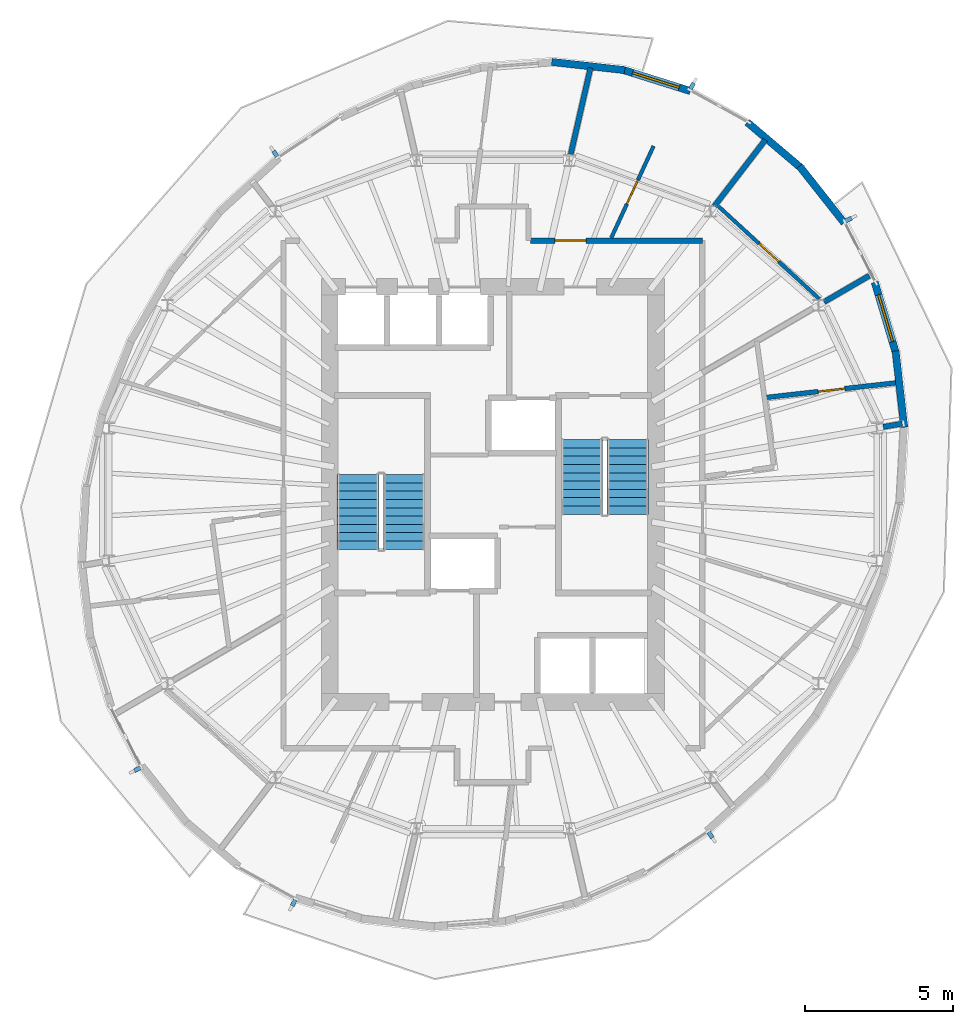
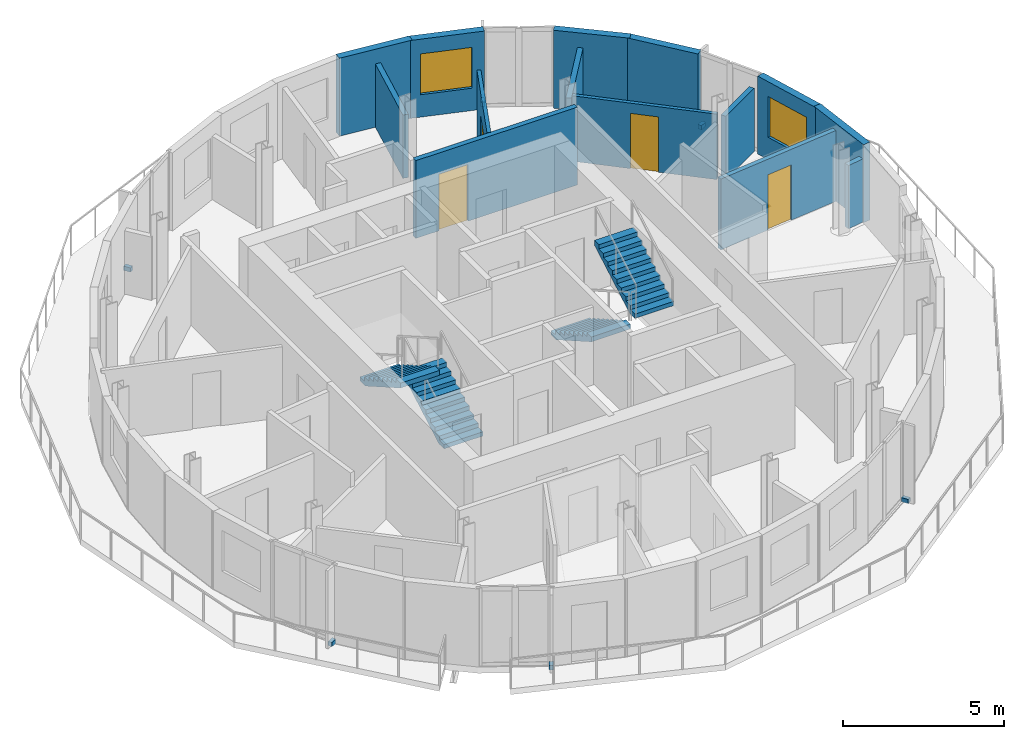
# One storey, part 7 of 11: 14 walls, 6 discrete accessories, 4 doors, 4 stair flights, 2 windows, 6 openings, 2 elements without a shape of their own.
"""IFC4 building model written with IfcOpenShell, lengths in metres."""

import ifcopenshell
import ifcopenshell.guid

model = None  # the IFC model being written
_history = None  # IfcOwnerHistory: only IFC2X3 demands one
_inside = {}  # id of a spatial element -> (the spatial element, [elements in it])
_under = {}  # id of a project, library or spatial element -> (it, [spatial elements below it])
_declared = {}  # id of a project -> (the project, [libraries it declares])
_typed = {}  # id of a type object -> (the type object, [elements of that type])
_made_of = {}  # id of a material, layer set ... -> (it, [elements and type objects made of it])


def new_model(schema):
    """Start an empty IFC model of exactly this schema.

    Asked for "IFC4X3", IfcOpenShell would pick the latest addendum, in which some entities
    have other attributes; the version numbers below select the first issue.
    IFC2X3 requires an IfcOwnerHistory on every rooted entity: one is made here for all.
    """
    global model, _history
    if schema == "IFC4X3":
        model = ifcopenshell.file(schema_version=(4, 3, 0, 0))
    else:
        model = ifcopenshell.file(schema=schema)
    _inside.clear()
    _under.clear()
    _declared.clear()
    _typed.clear()
    _made_of.clear()
    _history = None
    if model.schema == "IFC2X3":
        org = make("IfcOrganization", Name="unknown")
        user = make(
            "IfcPersonAndOrganization",
            ThePerson=make("IfcPerson", FamilyName="unknown"),
            TheOrganization=org,
        )
        app = make(
            "IfcApplication",
            ApplicationDeveloper=org,
            Version="unknown",
            ApplicationFullName="unknown",
            ApplicationIdentifier="unknown",
        )
        _history = make(
            "IfcOwnerHistory",
            OwningUser=user,
            OwningApplication=app,
            ChangeAction="ADDED",
            CreationDate=0,
        )
    return model


def make(cls, **values):
    """One entity of the class cls with the attributes given. An attribute that is None is left unset."""
    return model.create_entity(
        cls, **{name: value for name, value in values.items() if value is not None}
    )


def rooted(cls, **values):
    """An entity with a GlobalId (a new one), such as an element, a storey or a relation."""
    return make(cls, GlobalId=ifcopenshell.guid.new(), OwnerHistory=_history, **values)


def si_unit(unit_type, name, prefix=None):
    """IfcSIUnit, for example si_unit("LENGTHUNIT", "METRE", prefix="MILLI")."""
    return make("IfcSIUnit", UnitType=unit_type, Prefix=prefix, Name=name)


def assignment(units):
    """IfcUnitAssignment: the units of a project."""
    return None if units is None else make("IfcUnitAssignment", Units=units)


def point(xyz):
    """IfcCartesianPoint."""
    return None if xyz is None else make("IfcCartesianPoint", Coordinates=xyz)


def direction(xyz):
    """IfcDirection."""
    return None if xyz is None else make("IfcDirection", DirectionRatios=xyz)


def frame(location, z_axis=None, x_axis=None):
    """IfcAxis2Placement3D, a coordinate frame: its origin and axes. An axis left out is left unset."""
    return make(
        "IfcAxis2Placement3D",
        Location=point(location),
        Axis=direction(z_axis),
        RefDirection=direction(x_axis),
    )


def frame_2d(location, x_axis=None):
    """IfcAxis2Placement2D, a coordinate frame in the plane: its origin and x axis."""
    return make(
        "IfcAxis2Placement2D", Location=point(location), RefDirection=direction(x_axis)
    )


def origin():
    """The frame at (0, 0, 0) with its axes left unset."""
    return frame((0.0, 0.0, 0.0))


def origin_2d():
    """The frame at (0, 0) in the plane with its x axis left unset."""
    return frame_2d((0.0, 0.0))


def place(relative_to, where):
    """IfcLocalPlacement: puts the frame where relative to a parent placement (None: the world)."""
    return make(
        "IfcLocalPlacement", PlacementRelTo=relative_to, RelativePlacement=where
    )


def context(
    kind, dimensions, precision=None, world=None, true_north=None, identifier=None
):
    """IfcGeometricRepresentationContext, for example the 3D "Model" context."""
    return make(
        "IfcGeometricRepresentationContext",
        ContextIdentifier=identifier,
        ContextType=kind,
        CoordinateSpaceDimension=dimensions,
        Precision=precision,
        WorldCoordinateSystem=world,
        TrueNorth=true_north,
    )


def subcontext(parent, identifier, kind, view, scale=None):
    """IfcGeometricRepresentationSubContext, for example "Body" below "Model"."""
    return make(
        "IfcGeometricRepresentationSubContext",
        ContextIdentifier=identifier,
        ContextType=kind,
        ParentContext=parent,
        TargetScale=scale,
        TargetView=view,
    )


def project(units=None, contexts=None):
    """IfcProject with its units and contexts."""
    return rooted(
        "IfcProject",
        Name="project",
        RepresentationContexts=contexts,
        UnitsInContext=assignment(units),
    )


def spatial(cls, under=None, at=None, **own):
    """A site, building, storey or space (cls), placed at a placement, below another one or the project."""
    s = rooted(cls, ObjectPlacement=at, **own)
    if under is not None:
        _under.setdefault(under.id(), (under, []))[1].append(s)
    return s


def polyline(points):
    """IfcPolyline through the points."""
    return make("IfcPolyline", Points=[point(p) for p in points])


def profile(cls, at=None, kind="AREA", **sizes):
    """A parametric profile (cls). Its sizes go by their IFC names, for example OverallWidth=200.0."""
    return make(cls, ProfileType=kind, Position=at, **sizes)


def rectangle(**sizes):
    """IfcRectangleProfileDef."""
    return profile("IfcRectangleProfileDef", **sizes)


def outline(outer, holes=None, kind="AREA"):
    """IfcArbitraryClosedProfileDef: a profile drawn as a closed curve; with holes, ...WithVoids."""
    if holes is None:
        return make("IfcArbitraryClosedProfileDef", ProfileType=kind, OuterCurve=outer)
    return make(
        "IfcArbitraryProfileDefWithVoids",
        ProfileType=kind,
        OuterCurve=outer,
        InnerCurves=holes,
    )


def extrude(swept, where, along, depth):
    """IfcExtrudedAreaSolid: the profile swept, set in the frame where, extruded along a direction by depth."""
    return make(
        "IfcExtrudedAreaSolid",
        SweptArea=swept,
        Position=where,
        ExtrudedDirection=direction(along),
        Depth=depth,
    )


def shape(context_of_items, identifier, shape_type, items):
    """IfcShapeRepresentation: the items that make up one representation, for example the "Body"."""
    return make(
        "IfcShapeRepresentation",
        ContextOfItems=context_of_items,
        RepresentationIdentifier=identifier,
        RepresentationType=shape_type,
        Items=items,
    )


def material(Name=None, Category=None):
    """IfcMaterial."""
    return make("IfcMaterial", Name=Name, Category=Category)


def layer(
    of_material, thickness, ventilated=None, Name=None, Category=None, Priority=None
):
    """IfcMaterialLayer: one layer of a wall or slab, of a material (None: an air gap)."""
    return make(
        "IfcMaterialLayer",
        Material=of_material,
        LayerThickness=thickness,
        IsVentilated=ventilated,
        Name=Name,
        Category=Category,
        Priority=Priority,
    )


def layer_set(layers, Name=None):
    """IfcMaterialLayerSet."""
    return make("IfcMaterialLayerSet", MaterialLayers=layers, LayerSetName=Name)


def made_of(thing, what):
    """Note that an element or type object is made of a material, layer set ...; save() writes the relation."""
    if what is not None:
        _made_of.setdefault(what.id(), (what, []))[1].append(thing)
    return thing


def type_object(cls, material=None, **own):
    """A type object (cls), such as IfcWallType, which elements share."""
    return made_of(rooted(cls, **own), material)


def element(
    cls,
    number,
    at=None,
    inside=None,
    cuts=None,
    type_object=None,
    material=None,
    context=None,
    identifier="Body",
    shape_type=None,
    held_by="IfcProductDefinitionShape",
    body=None,
    shapes=None,
    **own,
):
    """One element of the class cls, such as IfcWall. Its Tag is "e" and its number.

    at: its placement. inside: the storey or other place that contains it. cuts: it is an
    opening in that element (IfcRelVoidsElement). A single representation is given by context,
    identifier, shape_type and body (its items); several are given by shapes. held_by: the class
    of the entity that holds the representations. save() writes the other relations.
    """
    e = rooted(cls, Tag="e%d" % number, ObjectPlacement=at, **own)
    if body is not None:
        shapes = [shape(context, identifier, shape_type, body)]
    if shapes is not None:
        e.Representation = make(held_by, Representations=shapes)
    if inside is not None:
        _inside.setdefault(inside.id(), (inside, []))[1].append(e)
    if cuts is not None:
        rooted(
            "IfcRelVoidsElement", RelatingBuildingElement=cuts, RelatedOpeningElement=e
        )
    if type_object is not None:
        _typed.setdefault(type_object.id(), (type_object, []))[1].append(e)
    return made_of(e, material)


def fill(opening, filler):
    """IfcRelFillsElement: the door or window that sits in an opening."""
    return rooted(
        "IfcRelFillsElement",
        RelatingOpeningElement=opening,
        RelatedBuildingElement=filler,
    )


def aggregate(whole, parts):
    """IfcRelAggregates: a whole, such as a stair, and the parts it consists of."""
    return rooted("IfcRelAggregates", RelatingObject=whole, RelatedObjects=parts)


def save(model, path):
    """Write the relations noted so far, then the file.

    IfcRelAggregates (storeys below a building ...), IfcRelContainedInSpatialStructure (elements
    in a storey), IfcRelDefinesByType, IfcRelAssociatesMaterial and IfcRelDeclares: one each for
    every whole, place, type object, material and project.
    """
    for whole, parts in _under.values():
        aggregate(whole, parts)
    for where, things in _inside.values():
        rooted(
            "IfcRelContainedInSpatialStructure",
            RelatedElements=things,
            RelatingStructure=where,
        )
    for kind, things in _typed.values():
        rooted("IfcRelDefinesByType", RelatedObjects=things, RelatingType=kind)
    for what, things in _made_of.values():
        rooted("IfcRelAssociatesMaterial", RelatedObjects=things, RelatingMaterial=what)
    for by, libraries in _declared.values():
        rooted("IfcRelDeclares", RelatingContext=by, RelatedDefinitions=libraries)
    model.write(path)


model = new_model("IFC4")

# Units and contexts
model_context = context("Model", 3, precision=1e-05, world=origin(), true_north=direction((0.0, 1.0)))
body_context = subcontext(model_context, "Body", "Model", "MODEL_VIEW")
ifc_project = project(units=[si_unit("LENGTHUNIT", "METRE"), si_unit("AREAUNIT", "SQUARE_METRE"), si_unit("VOLUMEUNIT", "CUBIC_METRE"), si_unit("PLANEANGLEUNIT", "RADIAN"), si_unit("MASSUNIT", "GRAM", prefix="KILO")], contexts=[model_context])

# Site, building, storey
site_placement = place(None, origin())
site = spatial("IfcSite", under=ifc_project, at=site_placement, CompositionType="ELEMENT")
building_placement = place(site_placement, origin())
building = spatial("IfcBuilding", under=site, at=building_placement, Name="Veldorim Arch Residences", CompositionType="ELEMENT")
storey_placement = place(building_placement, frame((0.0, 0.0, 227.0400390625)))
storey = spatial("IfcBuildingStorey", under=building, at=storey_placement, Name="L68", CompositionType="ELEMENT", Elevation=227.0400390625)

# Wall, opening, door
ifc_material_1 = material(Name="Acoustic Gypsum Board", Category="gypsum")
ifc_layer_1 = layer(ifc_material_1, 0.125, Name="Acoustic Stud Room Partition Wall 125")
ifc_layer_set_1 = layer_set([ifc_layer_1], Name="Acoustic Gypsum Board")
wall_type_1 = type_object("IfcWallType", Name="Acoustic Stud Room Partition Wall 125", PredefinedType="PARTITIONING", material=ifc_layer_set_1)
wall_1_placement = place(storey_placement, frame((37.41748046875, 35.748046875, 0.0), z_axis=(0.0, 0.0, 1.0), x_axis=(-0.418699522362, -0.908124831713, 0.0)))
wall_1 = element("IfcWall", 1, at=wall_1_placement, inside=storey, type_object=wall_type_1, Name="L68 interior wall WL-RES-L68-027", PredefinedType="PARTITIONING", context=body_context, shape_type="SweptSolid", body=[
    extrude(rectangle(XDim=3.410400390625, YDim=0.125, at=frame_2d((1.705078125, 0.0))), origin(), (0.0, 0.0, 1.0), 2.955078125),
])
opening_1_placement = place(wall_1_placement, frame((1.25537109375, 0.0, 0.0)))
opening_1 = element("IfcOpeningElement", 2, at=opening_1_placement, cuts=wall_1, Name="Opening DR-INT", PredefinedType="OPENING", context=body_context, shape_type="SweptSolid", body=[
    extrude(rectangle(XDim=0.89990234375, YDim=2.10009765625, at=frame_2d((0.449951171875, 1.050048828125))), frame((0.0, 0.072509765625, 0.0), z_axis=(0.0, -1.0, 0.0), x_axis=(1.0, 0.0, 0.0)), (0.0, 0.0, 1.0), 0.14501953125),
])
ifc_material_2 = material(Name="Engineered Timber", Category="wood")
door_type_1 = type_object("IfcDoorType", Name="Apartment Internal Room Timber Door 900x2100", OperationType="SINGLE_SWING_LEFT", PredefinedType="DOOR", material=ifc_material_2)
door_1_placement = place(opening_1_placement, origin())
door_1 = element("IfcDoor", 3, at=door_1_placement, inside=storey, type_object=door_type_1, Name="L68 interior door DR-RES-L68-012", OperationType="SINGLE_SWING_RIGHT", OverallHeight=2.10009765625, OverallWidth=0.89990234375, PredefinedType="DOOR", context=body_context, shape_type="SweptSolid", body=[
    extrude(rectangle(XDim=0.89990234375, YDim=2.10009765625, at=frame_2d((0.449951171875, 1.050048828125))), frame((0.0, 0.02490234375, 0.0), z_axis=(0.0, -1.0, 0.0), x_axis=(1.0, 0.0, 0.0)), (0.0, 0.0, 1.0), 0.050048828125),
])
fill(opening_1, door_1)

wall_2_placement = place(storey_placement, frame((39.603515625, 33.716552734375, 0.0), z_axis=(0.0, 0.0, 1.0), x_axis=(0.736807240809, -0.676102869311, 0.0)))
wall_2 = element("IfcWall", 4, at=wall_2_placement, inside=storey, type_object=wall_type_1, Name="L68 interior wall WL-RES-L68-028", PredefinedType="PARTITIONING", context=body_context, shape_type="SweptSolid", body=[
    extrude(rectangle(XDim=4.616943359375, YDim=0.125, at=frame_2d((2.30859375, 0.0))), origin(), (0.0, 0.0, 1.0), 2.488037109375),
])
opening_2_placement = place(wall_2_placement, frame((1.8583984375, 0.0, 0.0)))
opening_2 = element("IfcOpeningElement", 5, at=opening_2_placement, cuts=wall_2, Name="Opening DR-INT", PredefinedType="OPENING", context=body_context, shape_type="SweptSolid", body=[
    extrude(rectangle(XDim=0.89990234375, YDim=2.10009765625, at=frame_2d((0.449951171875, 1.050048828125))), frame((0.0, 0.072509765625, 0.0), z_axis=(0.0, -1.0, 0.0), x_axis=(1.0, 0.0, 0.0)), (0.0, 0.0, 1.0), 0.14501953125),
])
door_2_placement = place(opening_2_placement, origin())
door_2 = element("IfcDoor", 6, at=door_2_placement, inside=storey, type_object=door_type_1, Name="L68 interior door DR-RES-L68-013", OperationType="SINGLE_SWING_LEFT", OverallHeight=2.10009765625, OverallWidth=0.89990234375, PredefinedType="DOOR", context=body_context, shape_type="SweptSolid", body=[
    extrude(rectangle(XDim=0.89990234375, YDim=2.10009765625, at=frame_2d((0.449951171875, 1.050048828125))), frame((0.0, 0.02490234375, 0.0), z_axis=(0.0, -1.0, 0.0), x_axis=(1.0, 0.0, 0.0)), (0.0, 0.0, 1.0), 0.050048828125),
])
fill(opening_2, door_2)

# Walls
ifc_material_3 = material(Name="Lightweight Masonry Block & Gypsum", Category="masonry")
ifc_layer_2 = layer(ifc_material_3, 0.179931640625, Name="Compartment & Corridor Fire-Rated Party Wall 180")
ifc_layer_set_2 = layer_set([ifc_layer_2], Name="Lightweight Masonry Block & Gypsum")
wall_type_2 = type_object("IfcWallType", Name="Compartment & Corridor Fire-Rated Party Wall 180", PredefinedType="PARTITIONING", material=ifc_layer_set_2)
wall_3_placement = place(storey_placement, frame((45.16259765625, 26.277099609375, 0.0), z_axis=(0.0, 0.0, 1.0), x_axis=(0.985377293822, 0.170386586384, 0.0)))
element("IfcWall", 7, at=wall_3_placement, inside=storey, type_object=wall_type_2, Name="L68 interior wall WL-PIER-L68-01", PredefinedType="PARTITIONING", context=body_context, shape_type="SweptSolid", body=[
    extrude(rectangle(XDim=0.647705078125, YDim=0.179931640625, at=frame_2d((0.32373046875, 0.0))), origin(), (0.0, 0.0, 1.0), 2.4033203125),
])
wall_4_placement = place(storey_placement, frame((43.165283203125, 30.48828125, 0.0), z_axis=(0.0, 0.0, 1.0), x_axis=(0.864620360953, 0.502425747176, 0.0)))
element("IfcWall", 8, at=wall_4_placement, inside=storey, type_object=wall_type_2, Name="L68 interior wall WL-PIER-L68-02", PredefinedType="PARTITIONING", context=body_context, shape_type="SweptSolid", body=[
    extrude(rectangle(XDim=1.765380859375, YDim=0.179931640625, at=frame_2d((0.8828125, 0.0))), origin(), (0.0, 0.0, 1.0), 2.4033203125),
])
wall_5_placement = place(storey_placement, frame((39.46728515625, 33.719482421875, 0.0), z_axis=(0.0, 0.0, 1.0), x_axis=(0.609255239711, 0.792974181727, 0.0)))
element("IfcWall", 9, at=wall_5_placement, inside=storey, type_object=wall_type_2, Name="L68 interior wall WL-PIER-L68-03", PredefinedType="PARTITIONING", context=body_context, shape_type="SweptSolid", body=[
    extrude(rectangle(XDim=2.823974609375, YDim=0.179931640625, at=frame_2d((1.412109375, 0.0))), origin(), (0.0, 0.0, 1.0), 2.4033203125),
])
wall_6_placement = place(storey_placement, frame((34.6240234375, 35.473388671875, 0.0), z_axis=(0.0, 0.0, 1.0), x_axis=(0.222977992513, 0.974823478818, 0.0)))
element("IfcWall", 10, at=wall_6_placement, inside=storey, type_object=wall_type_2, Name="L68 interior wall WL-PIER-L68-04", PredefinedType="PARTITIONING", context=body_context, shape_type="SweptSolid", body=[
    extrude(rectangle(XDim=2.98583984375, YDim=0.179931640625, at=frame_2d((1.492919921875, 0.0))), origin(), (0.0, 0.0, 1.0), 2.4033203125),
])

# Wall, opening, door
wall_7_placement = place(storey_placement, frame((33.260009765625, 32.56005859375, 0.0), z_axis=(0.0, 0.0, 1.0), x_axis=(1.0, 0.0, 0.0)))
wall_7 = element("IfcWall", 11, at=wall_7_placement, inside=storey, type_object=wall_type_2, Name="L68 interior wall WL-RES-L68-011", PredefinedType="PARTITIONING", context=body_context, shape_type="SweptSolid", body=[
    extrude(rectangle(XDim=5.800048828125, YDim=0.179931640625, at=frame_2d((2.89990234375, 0.0))), origin(), (0.0, 0.0, 1.0), 2.955078125),
])
opening_3_placement = place(wall_7_placement, frame((0.829833984375, 0.0, 0.0)))
opening_3 = element("IfcOpeningElement", 12, at=opening_3_placement, cuts=wall_7, Name="Opening DR-FLT", PredefinedType="OPENING", context=body_context, shape_type="SweptSolid", body=[
    extrude(rectangle(XDim=1.050048828125, YDim=2.14990234375, at=frame_2d((0.52490234375, 1.074951171875))), frame((0.0, 0.099853515625, 0.0), z_axis=(0.0, -1.0, 0.0), x_axis=(1.0, 0.0, 0.0)), (0.0, 0.0, 1.0), 0.199951171875),
])
ifc_material_4 = material(Name="Fire-Rated Timber", Category="wood")
door_type_2 = type_object("IfcDoorType", Name="Apartment Entrance Solid-Core Fire Door 1050x2150", OperationType="SINGLE_SWING_LEFT", PredefinedType="DOOR", material=ifc_material_4)
door_3_placement = place(opening_3_placement, origin())
door_3 = element("IfcDoor", 13, at=door_3_placement, inside=storey, type_object=door_type_2, Name="L68 interior door DR-RES-L68-010", OperationType="SINGLE_SWING_RIGHT", OverallHeight=2.14990234375, OverallWidth=1.050048828125, PredefinedType="DOOR", context=body_context, shape_type="SweptSolid", body=[
    extrude(rectangle(XDim=1.050048828125, YDim=2.14990234375, at=frame_2d((0.52490234375, 1.074951171875))), frame((0.0, 0.02490234375, 0.0), z_axis=(0.0, -1.0, 0.0), x_axis=(1.0, 0.0, 0.0)), (0.0, 0.0, 1.0), 0.050048828125),
])
fill(opening_3, door_3)

# Wall, opening, window
ifc_material_5 = material(Name="Precast concrete C40/50", Category="concrete")
ifc_layer_3 = layer(ifc_material_5, 0.25, Name="Tower Terracotta Spandrel & Pier Wall 250")
ifc_layer_set_3 = layer_set([ifc_layer_3], Name="Precast concrete C40/50")
wall_type_3 = type_object("IfcWallType", Name="Tower Terracotta Spandrel & Pier Wall 250", PredefinedType="SOLIDWALL", material=ifc_layer_set_3)
wall_8_placement = place(storey_placement, frame((36.334228515625, 38.334228515625, 0.0), z_axis=(0.0, 0.0, 1.0), x_axis=(0.95407801166, -0.299558254212, 0.0)))
wall_8 = element("IfcWall", 14, at=wall_8_placement, inside=storey, type_object=wall_type_3, Name="L68 terracotta facade wall 02", PredefinedType="SOLIDWALL", context=body_context, shape_type="SweptSolid", body=[
    extrude(rectangle(XDim=2.436767578125, YDim=0.25, at=frame_2d((1.21826171875, 0.0))), origin(), (0.0, 0.0, 1.0), 2.9599609375),
])
opening_4_placement = place(wall_8_placement, frame((0.39306640625, 0.0, 0.85009765625)))
opening_4 = element("IfcOpeningElement", 15, at=opening_4_placement, cuts=wall_8, Name="Opening WN-03", PredefinedType="OPENING", context=body_context, shape_type="SweptSolid", body=[
    extrude(rectangle(XDim=1.64990234375, YDim=1.550048828125, at=frame_2d((0.824951171875, 0.77490234375))), frame((0.0, 0.135009765625, 0.0), z_axis=(0.0, -1.0, 0.0), x_axis=(1.0, 0.0, 0.0)), (0.0, 0.0, 1.0), 0.27001953125),
])
ifc_material_6 = material(Name="Laminated Low-E Glass", Category="glass")
window_type = type_object("IfcWindowType", Name="Residential Wide Window 1650x1550", PartitioningType="SINGLE_PANEL", PredefinedType="WINDOW", material=ifc_material_6)
window_1_placement = place(opening_4_placement, origin())
window_1 = element("IfcWindow", 16, at=window_1_placement, inside=storey, type_object=window_type, Name="L68 solar-control facade window 02", OverallHeight=1.550048828125, OverallWidth=1.64990234375, PartitioningType="SINGLE_PANEL", PredefinedType="WINDOW", context=body_context, shape_type="SweptSolid", body=[
    extrude(rectangle(XDim=1.64990234375, YDim=1.550048828125, at=frame_2d((0.824951171875, 0.77490234375))), frame((0.0, 0.030029296875, 0.0), z_axis=(0.0, -1.0, 0.0), x_axis=(1.0, 0.0, 0.0)), (0.0, 0.0, 1.0), 0.06005859375),
])
fill(opening_4, window_1)

# Walls
wall_9_placement = place(storey_placement, frame((33.98291015625, 38.5849609375, 0.0), z_axis=(0.0, 0.0, 1.0), x_axis=(0.993859679734, -0.110647806121, 0.0)))
element("IfcWall", 17, at=wall_9_placement, inside=storey, type_object=wall_type_3, Name="L68 terracotta facade wall 03", PredefinedType="SOLIDWALL", context=body_context, shape_type="SweptSolid", body=[
    extrude(rectangle(XDim=2.477783203125, YDim=0.25, at=frame_2d((1.23876953125, 0.0))), origin(), (0.0, 0.0, 1.0), 2.9599609375),
])
wall_10_placement = place(storey_placement, frame((45.5791015625, 28.838623046875, 0.0), z_axis=(0.0, 0.0, 1.0), x_axis=(0.112260931198, -0.993678762642, 0.0)))
element("IfcWall", 18, at=wall_10_placement, inside=storey, type_object=wall_type_3, Name="L68 terracotta facade wall 32", PredefinedType="SOLIDWALL", context=body_context, shape_type="SweptSolid", body=[
    extrude(rectangle(XDim=2.59228515625, YDim=0.25, at=frame_2d((1.296142578125, 0.0))), origin(), (0.0, 0.0, 1.0), 2.9599609375),
])

# Wall, opening, window
wall_11_placement = place(storey_placement, frame((44.87841796875, 31.155517578125, 0.0), z_axis=(0.0, 0.0, 1.0), x_axis=(0.285604720301, -0.958347506775, 0.0)))
wall_11 = element("IfcWall", 19, at=wall_11_placement, inside=storey, type_object=wall_type_3, Name="L68 terracotta facade wall 33", PredefinedType="SOLIDWALL", context=body_context, shape_type="SweptSolid", body=[
    extrude(rectangle(XDim=2.531982421875, YDim=0.25, at=frame_2d((1.26611328125, 0.0))), origin(), (0.0, 0.0, 1.0), 2.9599609375),
])
opening_5_placement = place(wall_11_placement, frame((0.44091796875, 0.0, 0.85009765625)))
opening_5 = element("IfcOpeningElement", 20, at=opening_5_placement, cuts=wall_11, Name="Opening WN-03", PredefinedType="OPENING", context=body_context, shape_type="SweptSolid", body=[
    extrude(rectangle(XDim=1.64990234375, YDim=1.550048828125, at=frame_2d((0.824951171875, 0.77490234375))), frame((0.0, 0.135009765625, 0.0), z_axis=(0.0, -1.0, 0.0), x_axis=(1.0, 0.0, 0.0)), (0.0, 0.0, 1.0), 0.27001953125),
])
window_2_placement = place(opening_5_placement, origin())
window_2 = element("IfcWindow", 21, at=window_2_placement, inside=storey, type_object=window_type, Name="L68 solar-control facade window 33", OverallHeight=1.550048828125, OverallWidth=1.64990234375, PartitioningType="SINGLE_PANEL", PredefinedType="WINDOW", context=body_context, shape_type="SweptSolid", body=[
    extrude(rectangle(XDim=1.64990234375, YDim=1.550048828125, at=frame_2d((0.824951171875, 0.77490234375))), frame((0.0, 0.030029296875, 0.0), z_axis=(0.0, -1.0, 0.0), x_axis=(1.0, 0.0, 0.0)), (0.0, 0.0, 1.0), 0.06005859375),
])
fill(opening_5, window_2)

# Walls
wall_12_placement = place(storey_placement, frame((42.33740234375, 35.070556640625, 0.0), z_axis=(0.0, 0.0, 1.0), x_axis=(0.619881401672, -0.784695512833, 0.0)))
element("IfcWall", 22, at=wall_12_placement, inside=storey, type_object=wall_type_3, Name="L68 terracotta facade wall 35", PredefinedType="SOLIDWALL", context=body_context, shape_type="SweptSolid", body=[
    extrude(rectangle(XDim=2.436767578125, YDim=0.25, at=frame_2d((1.21826171875, 0.0))), origin(), (0.0, 0.0, 1.0), 2.9599609375),
])
wall_13_placement = place(storey_placement, frame((40.575439453125, 36.55029296875, 0.0), z_axis=(0.0, 0.0, 1.0), x_axis=(0.762614923672, -0.646852748462, 0.0)))
element("IfcWall", 23, at=wall_13_placement, inside=storey, type_object=wall_type_3, Name="L68 terracotta facade wall 36", PredefinedType="SOLIDWALL", context=body_context, shape_type="SweptSolid", body=[
    extrude(rectangle(XDim=2.414794921875, YDim=0.25, at=frame_2d((1.20751953125, 0.0))), origin(), (0.0, 0.0, 1.0), 2.9599609375),
])

# Wall, opening, door
ifc_material_7 = material(Name="Moisture-Resistant Gypsum & Stud", Category="gypsum")
ifc_layer_4 = layer(ifc_material_7, 0.159912109375, Name="Wet-Area Moisture-Resistant Plumbing Wall 160")
ifc_layer_set_4 = layer_set([ifc_layer_4], Name="Moisture-Resistant Gypsum & Stud")
wall_type_4 = type_object("IfcWallType", Name="Wet-Area Moisture-Resistant Plumbing Wall 160", PredefinedType="PLUMBINGWALL", material=ifc_layer_set_4)
wall_14_placement = place(storey_placement, frame((41.156005859375, 27.26416015625, 0.0), z_axis=(0.0, 0.0, 1.0), x_axis=(0.993729232793, 0.111813290319, 0.0)))
wall_14 = element("IfcWall", 24, at=wall_14_placement, inside=storey, type_object=wall_type_4, Name="L68 interior wall WL-RES-L68-020", PredefinedType="PLUMBINGWALL", context=body_context, shape_type="SweptSolid", body=[
    extrude(rectangle(XDim=4.556884765625, YDim=0.159912109375, at=frame_2d((2.2783203125, 0.0))), origin(), (0.0, 0.0, 1.0), 2.69189453125),
])
opening_6_placement = place(wall_14_placement, frame((1.828369140625, 0.0, 0.0)))
opening_6 = element("IfcOpeningElement", 25, at=opening_6_placement, cuts=wall_14, Name="Opening DR-WC", PredefinedType="OPENING", context=body_context, shape_type="SweptSolid", body=[
    extrude(rectangle(XDim=0.89990234375, YDim=2.10009765625, at=frame_2d((0.449951171875, 1.050048828125))), frame((0.0, 0.08984375, 0.0), z_axis=(0.0, -1.0, 0.0), x_axis=(1.0, 0.0, 0.0)), (0.0, 0.0, 1.0), 0.179931640625),
])
ifc_material_8 = material(Name="Laminate Timber", Category="wood")
door_type_3 = type_object("IfcDoorType", Name="Bathroom & Accessible WC Moisture-Sealed Door 900x2100", OperationType="SINGLE_SWING_LEFT", PredefinedType="DOOR", material=ifc_material_8)
door_4_placement = place(opening_6_placement, origin())
door_4 = element("IfcDoor", 26, at=door_4_placement, inside=storey, type_object=door_type_3, Name="L68 interior door DR-RES-L68-006", OperationType="SINGLE_SWING_RIGHT", OverallHeight=2.10009765625, OverallWidth=0.89990234375, PredefinedType="DOOR", context=body_context, shape_type="SweptSolid", body=[
    extrude(rectangle(XDim=0.89990234375, YDim=2.10009765625, at=frame_2d((0.449951171875, 1.050048828125))), frame((0.0, 0.02490234375, 0.0), z_axis=(0.0, -1.0, 0.0), x_axis=(1.0, 0.0, 0.0)), (0.0, 0.0, 1.0), 0.050048828125),
])
fill(opening_6, door_4)

# Stair, stair flights
ifc_material_9 = material(Name="Concrete C40/50", Category="concrete")
stair_type = type_object("IfcStairType", Name="Reinforced Concrete Dogleg Exit Staircase", PredefinedType="HALF_TURN_STAIR", material=ifc_material_9)
stair_1_placement = place(storey_placement, origin())
stair_1 = element("IfcStair", 27, at=stair_1_placement, inside=storey, type_object=stair_type, Name="L68 Exit Staircase ST-1", PredefinedType="HALF_TURN_STAIR")
ifc_material_10 = material(Name="Concrete C40/50", Category="concrete")
stair_flight_type = type_object("IfcStairFlightType", Name="Reinforced Concrete Stair Flight 1400", PredefinedType="STRAIGHT", material=ifc_material_10)
stair_flight_1_placement = place(storey_placement, frame((29.010009765625, 22.14990234375, 0.0), z_axis=(0.0, 0.0, 1.0), x_axis=(0.0, 1.0, 0.0)))
stair_flight_1 = element("IfcStairFlight", 28, at=stair_flight_1_placement, type_object=stair_flight_type, Name="ST-1 flight 1", NumberOfRisers=10, NumberOfTreads=9, PredefinedType="STRAIGHT", RiserHeight=0.16, TreadLength=0.28, context=body_context, shape_type="SweptSolid", body=[
    extrude(outline(polyline([(0.0, 0.0), (0.0, 0.159912109375), (0.280029296875, 0.159912109375), (0.280029296875, 0.320068359375), (0.56005859375, 0.320068359375), (0.56005859375, 0.47998046875), (0.840087890625, 0.47998046875), (0.840087890625, 0.639892578125), (1.1201171875, 0.639892578125), (1.1201171875, 0.800048828125), (1.39990234375, 0.800048828125), (1.39990234375, 0.9599609375), (1.679931640625, 0.9599609375), (1.679931640625, 1.1201171875), (1.9599609375, 1.1201171875), (1.9599609375, 1.280029296875), (2.239990234375, 1.280029296875), (2.239990234375, 1.43994140625), (2.52001953125, 1.43994140625), (2.52001953125, 1.60009765625), (2.52001953125, 1.255859375), (0.322265625, 0.0), (0.0, 0.0)])), frame((0.0, 0.699951171875, 0.0), z_axis=(0.0, -1.0, 0.0), x_axis=(1.0, 0.0, 0.0)), (0.0, 0.0, 1.0), 1.39990234375),
])
stair_flight_2_placement = place(storey_placement, frame((27.449951171875, 24.669921875, 1.599853515625), z_axis=(0.0, 0.0, 1.0), x_axis=(0.0, -1.0, 0.0)))
stair_flight_2 = element("IfcStairFlight", 29, at=stair_flight_2_placement, type_object=stair_flight_type, Name="ST-1 flight 2", NumberOfRisers=10, NumberOfTreads=9, PredefinedType="STRAIGHT", RiserHeight=0.16, TreadLength=0.28, context=body_context, shape_type="SweptSolid", body=[
    extrude(outline(polyline([(0.0, 0.0), (0.0, 0.159912109375), (0.280029296875, 0.159912109375), (0.280029296875, 0.320068359375), (0.56005859375, 0.320068359375), (0.56005859375, 0.47998046875), (0.840087890625, 0.47998046875), (0.840087890625, 0.639892578125), (1.1201171875, 0.639892578125), (1.1201171875, 0.800048828125), (1.39990234375, 0.800048828125), (1.39990234375, 0.9599609375), (1.679931640625, 0.9599609375), (1.679931640625, 1.1201171875), (1.9599609375, 1.1201171875), (1.9599609375, 1.280029296875), (2.239990234375, 1.280029296875), (2.239990234375, 1.43994140625), (2.52001953125, 1.43994140625), (2.52001953125, 1.60009765625), (2.52001953125, 1.255859375), (0.322265625, 0.0), (0.0, 0.0)])), frame((0.0, 0.699951171875, 0.0), z_axis=(0.0, -1.0, 0.0), x_axis=(1.0, 0.0, 0.0)), (0.0, 0.0, 1.0), 1.39990234375),
])
aggregate(stair_1, [stair_flight_1, stair_flight_2])

stair_2_placement = place(storey_placement, origin())
stair_2 = element("IfcStair", 30, at=stair_2_placement, inside=storey, type_object=stair_type, Name="L68 Exit Staircase ST-2", PredefinedType="HALF_TURN_STAIR")
stair_flight_3_placement = place(storey_placement, frame((34.989990234375, 25.85009765625, 0.0), z_axis=(0.0, 0.0, 1.0), x_axis=(0.0, -1.0, 0.0)))
stair_flight_3 = element("IfcStairFlight", 31, at=stair_flight_3_placement, type_object=stair_flight_type, Name="ST-2 flight 1", NumberOfRisers=10, NumberOfTreads=9, PredefinedType="STRAIGHT", RiserHeight=0.16, TreadLength=0.28, context=body_context, shape_type="SweptSolid", body=[
    extrude(outline(polyline([(0.0, 0.0), (0.0, 0.159912109375), (0.280029296875, 0.159912109375), (0.280029296875, 0.320068359375), (0.56005859375, 0.320068359375), (0.56005859375, 0.47998046875), (0.840087890625, 0.47998046875), (0.840087890625, 0.639892578125), (1.1201171875, 0.639892578125), (1.1201171875, 0.800048828125), (1.39990234375, 0.800048828125), (1.39990234375, 0.9599609375), (1.679931640625, 0.9599609375), (1.679931640625, 1.1201171875), (1.9599609375, 1.1201171875), (1.9599609375, 1.280029296875), (2.239990234375, 1.280029296875), (2.239990234375, 1.43994140625), (2.52001953125, 1.43994140625), (2.52001953125, 1.60009765625), (2.52001953125, 1.255859375), (0.322265625, 0.0), (0.0, 0.0)])), frame((0.0, 0.699951171875, 0.0), z_axis=(0.0, -1.0, 0.0), x_axis=(1.0, 0.0, 0.0)), (0.0, 0.0, 1.0), 1.39990234375),
])
stair_flight_4_placement = place(storey_placement, frame((36.550048828125, 23.330078125, 1.599853515625), z_axis=(0.0, 0.0, 1.0), x_axis=(0.0, 1.0, 0.0)))
stair_flight_4 = element("IfcStairFlight", 32, at=stair_flight_4_placement, type_object=stair_flight_type, Name="ST-2 flight 2", NumberOfRisers=10, NumberOfTreads=9, PredefinedType="STRAIGHT", RiserHeight=0.16, TreadLength=0.28, context=body_context, shape_type="SweptSolid", body=[
    extrude(outline(polyline([(0.0, 0.0), (0.0, 0.159912109375), (0.280029296875, 0.159912109375), (0.280029296875, 0.320068359375), (0.56005859375, 0.320068359375), (0.56005859375, 0.47998046875), (0.840087890625, 0.47998046875), (0.840087890625, 0.639892578125), (1.1201171875, 0.639892578125), (1.1201171875, 0.800048828125), (1.39990234375, 0.800048828125), (1.39990234375, 0.9599609375), (1.679931640625, 0.9599609375), (1.679931640625, 1.1201171875), (1.9599609375, 1.1201171875), (1.9599609375, 1.280029296875), (2.239990234375, 1.280029296875), (2.239990234375, 1.43994140625), (2.52001953125, 1.43994140625), (2.52001953125, 1.60009765625), (2.52001953125, 1.255859375), (0.322265625, 0.0), (0.0, 0.0)])), frame((0.0, 0.699951171875, 0.0), z_axis=(0.0, -1.0, 0.0), x_axis=(1.0, 0.0, 0.0)), (0.0, 0.0, 1.0), 1.39990234375),
])
aggregate(stair_2, [stair_flight_3, stair_flight_4])

# Discrete accessories
ifc_material_11 = material(Name="Stainless Steel", Category="steel")
discrete_accessory_type = type_object("IfcDiscreteAccessoryType", Name="Stainless Steel Facade Fin Anchor Bracket", PredefinedType="BRACKET", material=ifc_material_11)
for number, where, z_axis, x_axis, name in (
    (33, (38.714111328125, 37.769287109375, -0.02001953125), (0.0, 0.0, 1.0), (0.876222584819, -0.481906611132, 0.0), "L68 stainless fin anchor bracket 01"),
    (34, (24.6640625, 35.48388671875, -0.02001953125), (0.0, 0.0, 1.0), (0.835135979853, 0.550043539327, 0.0), "L68 stainless fin anchor bracket 07"),
    (35, (20.013427734375, 14.735595703125, -0.02001953125), (0.0, 0.0, 1.0), (-0.457718745382, 0.889097042019, 0.0), "L68 stainless fin anchor bracket 16"),
    (36, (25.285888671875, 10.230712890625, -0.02001953125), (0.0, 0.0, 1.0), (-0.876222584819, 0.481906611132, 0.0), "L68 stainless fin anchor bracket 19"),
    (37, (39.3359375, 12.51611328125, -0.02001953125), (0.0, 0.0, 1.0), (-0.835135979853, -0.550043539327, 0.0), "L68 stainless fin anchor bracket 25"),
    (38, (43.986572265625, 33.264404296875, -0.02001953125), (0.0, 0.0, 1.0), (0.457718745382, -0.889097042019, 0.0), "L68 stainless fin anchor bracket 34"),
):
    element("IfcDiscreteAccessory", number, at=place(storey_placement, frame(where, z_axis=z_axis, x_axis=x_axis)), inside=storey, type_object=discrete_accessory_type, Name=name, PredefinedType="BRACKET", context=body_context, shape_type="SweptSolid", body=[
        extrude(rectangle(XDim=0.139892578125, YDim=0.239990234375, at=origin_2d()), origin(), (0.0, 0.0, 1.0), 0.159912109375),
    ])

save(model, "model.ifc")
